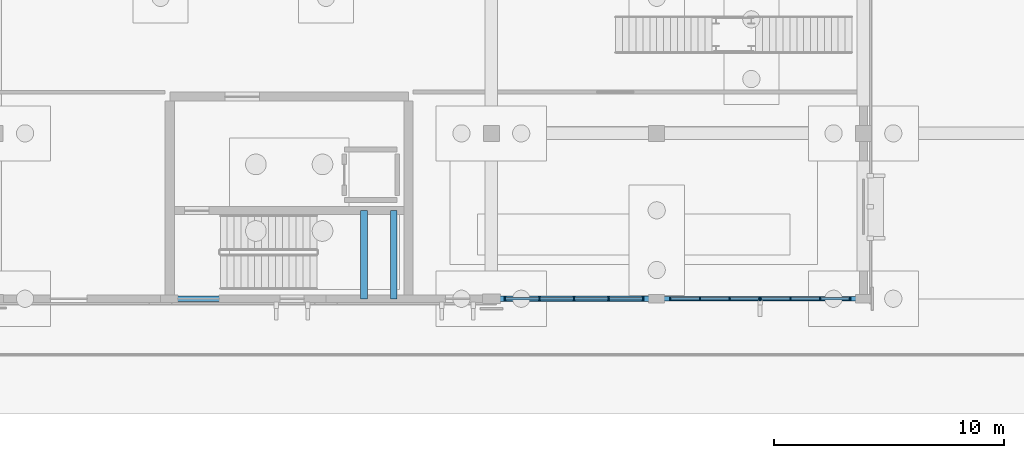
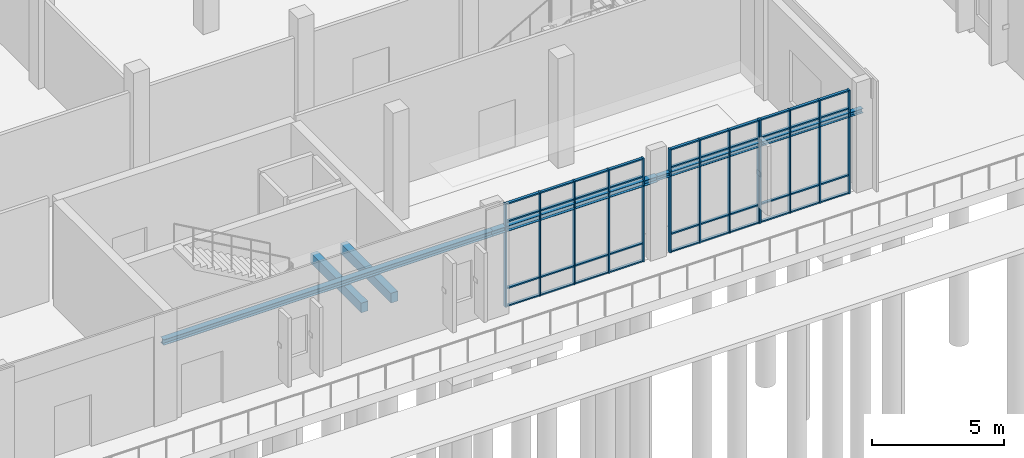
# One storey, part 32 of 94: 53 members, 5 beams, 3 elements without a shape of their own.
"""IFC4 building model written with IfcOpenShell, lengths in metres."""

from ifc_helpers import new_model, si_unit, direction, frame, origin, origin_2d, place, context, subcontext, project, spatial, rectangle, i_section, extrude, material, material_profile, profile_set, type_object, element, aggregate, save


model = new_model("IFC4")

# Units and contexts
model_context = context("Model", 3, precision=1e-05, world=origin(), true_north=direction((0.0, 1.0)))
body_context = subcontext(model_context, "Body", "Model", "MODEL_VIEW")
ifc_project = project(units=[si_unit("LENGTHUNIT", "METRE"), si_unit("AREAUNIT", "SQUARE_METRE"), si_unit("VOLUMEUNIT", "CUBIC_METRE"), si_unit("PLANEANGLEUNIT", "RADIAN"), si_unit("MASSUNIT", "GRAM", prefix="KILO")], contexts=[model_context])

# Site, building, storey
site_placement = place(None, origin())
site = spatial("IfcSite", under=ifc_project, at=site_placement, CompositionType="ELEMENT")
building_placement = place(site_placement, origin())
building = spatial("IfcBuilding", under=site, at=building_placement, Name="Vervanel Yard Central Library", CompositionType="ELEMENT")
storey_placement = place(building_placement, origin())
storey = spatial("IfcBuildingStorey", under=building, at=storey_placement, Name="L00", CompositionType="ELEMENT", Elevation=0.0)

# Curtain wall, members
ifc_material_1 = material(Name="Thermally broken anodized aluminium 6063-T6", Category="aluminium")
curtain_wall_type = type_object("IfcCurtainWallType", Name="Boulevard Cafe & Bridge Curtain Wall", PredefinedType="NOTDEFINED", material=ifc_material_1)
curtain_wall_1_placement = place(storey_placement, origin())
curtain_wall_1 = element("IfcCurtainWall", 1, at=curtain_wall_1_placement, inside=storey, type_object=curtain_wall_type, Name="L00 Boulevard Cafe & Bridge Curtain Wall CWR-L00-192", PredefinedType="NOTDEFINED")
ifc_material_profile_1 = material_profile(ifc_material_1, rectangle(XDim=0.06005859375, YDim=0.159912109375, at=origin_2d()), Name="ALU 60x160", Category="aluminium")
ifc_profile_set_1 = profile_set([ifc_material_profile_1], Name="Thermally broken anodized aluminium 6063-T6")
member_type_1 = type_object("IfcMemberType", Name="Bridge & Courtyard Mullion 60x160", PredefinedType="MULLION", material=ifc_profile_set_1)
member_1_placement = place(storey_placement, frame((29.389892578125, 0.0, 0.0), z_axis=(0.0, 0.0, 1.0), x_axis=(1.0, 0.0, 0.0)))
member_1 = element("IfcMember", 2, at=member_1_placement, type_object=member_type_1, Name="CWR-L00-192 Mullion 1", PredefinedType="MULLION", context=body_context, shape_type="SweptSolid", body=[
    extrude(rectangle(XDim=0.06005859375, YDim=0.159912109375, at=origin_2d()), origin(), (0.0, 0.0, 1.0), 4.780029296875),
])
member_2_placement = place(storey_placement, frame((30.89501953125, 0.0, 0.0), z_axis=(0.0, 0.0, 1.0), x_axis=(1.0, 0.0, 0.0)))
member_2 = element("IfcMember", 3, at=member_2_placement, type_object=member_type_1, Name="CWR-L00-192 Mullion 2", PredefinedType="MULLION", context=body_context, shape_type="SweptSolid", body=[
    extrude(rectangle(XDim=0.06005859375, YDim=0.159912109375, at=origin_2d()), origin(), (0.0, 0.0, 1.0), 4.780029296875),
])
member_3_placement = place(storey_placement, frame((32.39990234375, 0.0, 0.0), z_axis=(0.0, 0.0, 1.0), x_axis=(1.0, 0.0, 0.0)))
member_3 = element("IfcMember", 4, at=member_3_placement, type_object=member_type_1, Name="CWR-L00-192 Mullion 3", PredefinedType="MULLION", context=body_context, shape_type="SweptSolid", body=[
    extrude(rectangle(XDim=0.06005859375, YDim=0.159912109375, at=origin_2d()), origin(), (0.0, 0.0, 1.0), 4.780029296875),
])
member_4_placement = place(storey_placement, frame((33.905029296875, 0.0, 0.0), z_axis=(0.0, 0.0, 1.0), x_axis=(1.0, 0.0, 0.0)))
member_4 = element("IfcMember", 5, at=member_4_placement, type_object=member_type_1, Name="CWR-L00-192 Mullion 4", PredefinedType="MULLION", context=body_context, shape_type="SweptSolid", body=[
    extrude(rectangle(XDim=0.06005859375, YDim=0.159912109375, at=origin_2d()), origin(), (0.0, 0.0, 1.0), 4.780029296875),
])
member_5_placement = place(storey_placement, frame((35.409912109375, 0.0, 0.0), z_axis=(0.0, 0.0, 1.0), x_axis=(1.0, 0.0, 0.0)))
member_5 = element("IfcMember", 6, at=member_5_placement, type_object=member_type_1, Name="CWR-L00-192 Mullion 5", PredefinedType="MULLION", context=body_context, shape_type="SweptSolid", body=[
    extrude(rectangle(XDim=0.06005859375, YDim=0.159912109375, at=origin_2d()), origin(), (0.0, 0.0, 1.0), 4.780029296875),
])

curtain_wall_2_placement = place(storey_placement, origin())
curtain_wall_2 = element("IfcCurtainWall", 7, at=curtain_wall_2_placement, inside=storey, type_object=curtain_wall_type, Name="L00 Boulevard Cafe & Bridge Curtain Wall CWR-L00-193", PredefinedType="NOTDEFINED")
member_6_placement = place(storey_placement, frame((36.590087890625, 0.0, 0.0), z_axis=(0.0, 0.0, 1.0), x_axis=(1.0, 0.0, 0.0)))
member_6 = element("IfcMember", 8, at=member_6_placement, type_object=member_type_1, Name="CWR-L00-193 Mullion 1", PredefinedType="MULLION", context=body_context, shape_type="SweptSolid", body=[
    extrude(rectangle(XDim=0.06005859375, YDim=0.159912109375, at=origin_2d()), origin(), (0.0, 0.0, 1.0), 4.780029296875),
])
member_7_placement = place(storey_placement, frame((37.88330078125, 0.0, 0.0), z_axis=(0.0, 0.0, 1.0), x_axis=(1.0, 0.0, 0.0)))
member_7 = element("IfcMember", 9, at=member_7_placement, type_object=member_type_1, Name="CWR-L00-193 Mullion 2", PredefinedType="MULLION", context=body_context, shape_type="SweptSolid", body=[
    extrude(rectangle(XDim=0.06005859375, YDim=0.159912109375, at=origin_2d()), origin(), (0.0, 0.0, 1.0), 4.780029296875),
])
member_8_placement = place(storey_placement, frame((39.1767578125, 0.0, 0.0), z_axis=(0.0, 0.0, 1.0), x_axis=(1.0, 0.0, 0.0)))
member_8 = element("IfcMember", 10, at=member_8_placement, type_object=member_type_1, Name="CWR-L00-193 Mullion 3", PredefinedType="MULLION", context=body_context, shape_type="SweptSolid", body=[
    extrude(rectangle(XDim=0.06005859375, YDim=0.159912109375, at=origin_2d()), origin(), (0.0, 0.0, 1.0), 4.780029296875),
])
member_9_placement = place(storey_placement, frame((40.469970703125, 0.0, 0.0), z_axis=(0.0, 0.0, 1.0), x_axis=(1.0, 0.0, 0.0)))
member_9 = element("IfcMember", 11, at=member_9_placement, type_object=member_type_1, Name="CWR-L00-193 Mullion 4", PredefinedType="MULLION", context=body_context, shape_type="SweptSolid", body=[
    extrude(rectangle(XDim=0.06005859375, YDim=0.159912109375, at=origin_2d()), origin(), (0.0, 0.0, 1.0), 4.780029296875),
])

curtain_wall_3_placement = place(storey_placement, origin())
curtain_wall_3 = element("IfcCurtainWall", 12, at=curtain_wall_3_placement, inside=storey, type_object=curtain_wall_type, Name="L00 Boulevard Cafe & Bridge Curtain Wall CWR-L00-194", PredefinedType="NOTDEFINED")
member_10_placement = place(storey_placement, frame((40.530029296875, 0.0, 0.0), z_axis=(0.0, 0.0, 1.0), x_axis=(1.0, 0.0, 0.0)))
member_10 = element("IfcMember", 13, at=member_10_placement, type_object=member_type_1, Name="CWR-L00-194 Mullion 1", PredefinedType="MULLION", context=body_context, shape_type="SweptSolid", body=[
    extrude(rectangle(XDim=0.06005859375, YDim=0.159912109375, at=origin_2d()), origin(), (0.0, 0.0, 1.0), 4.780029296875),
])
member_11_placement = place(storey_placement, frame((41.8232421875, 0.0, 0.0), z_axis=(0.0, 0.0, 1.0), x_axis=(1.0, 0.0, 0.0)))
member_11 = element("IfcMember", 14, at=member_11_placement, type_object=member_type_1, Name="CWR-L00-194 Mullion 2", PredefinedType="MULLION", context=body_context, shape_type="SweptSolid", body=[
    extrude(rectangle(XDim=0.06005859375, YDim=0.159912109375, at=origin_2d()), origin(), (0.0, 0.0, 1.0), 4.780029296875),
])
member_12_placement = place(storey_placement, frame((43.11669921875, 0.0, 0.0), z_axis=(0.0, 0.0, 1.0), x_axis=(1.0, 0.0, 0.0)))
member_12 = element("IfcMember", 15, at=member_12_placement, type_object=member_type_1, Name="CWR-L00-194 Mullion 3", PredefinedType="MULLION", context=body_context, shape_type="SweptSolid", body=[
    extrude(rectangle(XDim=0.06005859375, YDim=0.159912109375, at=origin_2d()), origin(), (0.0, 0.0, 1.0), 4.780029296875),
])
member_13_placement = place(storey_placement, frame((44.409912109375, 0.0, 0.0), z_axis=(0.0, 0.0, 1.0), x_axis=(1.0, 0.0, 0.0)))
member_13 = element("IfcMember", 16, at=member_13_placement, type_object=member_type_1, Name="CWR-L00-194 Mullion 4", PredefinedType="MULLION", context=body_context, shape_type="SweptSolid", body=[
    extrude(rectangle(XDim=0.06005859375, YDim=0.159912109375, at=origin_2d()), origin(), (0.0, 0.0, 1.0), 4.780029296875),
])

# Member
ifc_material_profile_2 = material_profile(ifc_material_1, rectangle(XDim=0.06005859375, YDim=0.1201171875, at=origin_2d()), Name="ALU 60x120", Category="aluminium")
ifc_profile_set_2 = profile_set([ifc_material_profile_2], Name="Thermally broken anodized aluminium 6063-T6")
member_type_2 = type_object("IfcMemberType", Name="Bridge & Courtyard Transom 60x120", PredefinedType="NOTDEFINED", material=ifc_profile_set_2)
member_14_placement = place(storey_placement, frame((29.419921875, 0.0, 0.030029296875), z_axis=(1.0, 0.0, 0.0), x_axis=(0.0, 0.0, 1.0)))
member_14 = element("IfcMember", 17, at=member_14_placement, type_object=member_type_2, Name="CWR-L00-192 Transom B1-T1", ObjectType="TRANSOM", PredefinedType="USERDEFINED", context=body_context, shape_type="SweptSolid", body=[
    extrude(rectangle(XDim=0.06005859375, YDim=0.1201171875, at=origin_2d()), origin(), (0.0, 0.0, 1.0), 1.445068359375),
])

member_15_placement = place(storey_placement, frame((29.419921875, 0.0, 0.85009765625), z_axis=(1.0, 0.0, 0.0), x_axis=(0.0, 0.0, 1.0)))
member_15 = element("IfcMember", 18, at=member_15_placement, type_object=member_type_2, Name="CWR-L00-192 Transom B1-T2", ObjectType="TRANSOM", PredefinedType="USERDEFINED", context=body_context, shape_type="SweptSolid", body=[
    extrude(rectangle(XDim=0.06005859375, YDim=0.1201171875, at=origin_2d()), origin(), (0.0, 0.0, 1.0), 1.445068359375),
])

member_16_placement = place(storey_placement, frame((29.419921875, 0.0, 3.929931640625), z_axis=(1.0, 0.0, 0.0), x_axis=(0.0, 0.0, 1.0)))
member_16 = element("IfcMember", 19, at=member_16_placement, type_object=member_type_2, Name="CWR-L00-192 Transom B1-T3", ObjectType="TRANSOM", PredefinedType="USERDEFINED", context=body_context, shape_type="SweptSolid", body=[
    extrude(rectangle(XDim=0.06005859375, YDim=0.1201171875, at=origin_2d()), origin(), (0.0, 0.0, 1.0), 1.445068359375),
])

member_17_placement = place(storey_placement, frame((29.419921875, 0.0, 4.75), z_axis=(1.0, 0.0, 0.0), x_axis=(0.0, 0.0, 1.0)))
member_17 = element("IfcMember", 20, at=member_17_placement, type_object=member_type_2, Name="CWR-L00-192 Transom B1-T4", ObjectType="TRANSOM", PredefinedType="USERDEFINED", context=body_context, shape_type="SweptSolid", body=[
    extrude(rectangle(XDim=0.06005859375, YDim=0.1201171875, at=origin_2d()), origin(), (0.0, 0.0, 1.0), 1.445068359375),
])

member_18_placement = place(storey_placement, frame((30.925048828125, 0.0, 0.030029296875), z_axis=(1.0, 0.0, 0.0), x_axis=(0.0, 0.0, 1.0)))
member_18 = element("IfcMember", 21, at=member_18_placement, type_object=member_type_2, Name="CWR-L00-192 Transom B2-T1", ObjectType="TRANSOM", PredefinedType="USERDEFINED", context=body_context, shape_type="SweptSolid", body=[
    extrude(rectangle(XDim=0.06005859375, YDim=0.1201171875, at=origin_2d()), origin(), (0.0, 0.0, 1.0), 1.445068359375),
])

member_19_placement = place(storey_placement, frame((30.925048828125, 0.0, 0.85009765625), z_axis=(1.0, 0.0, 0.0), x_axis=(0.0, 0.0, 1.0)))
member_19 = element("IfcMember", 22, at=member_19_placement, type_object=member_type_2, Name="CWR-L00-192 Transom B2-T2", ObjectType="TRANSOM", PredefinedType="USERDEFINED", context=body_context, shape_type="SweptSolid", body=[
    extrude(rectangle(XDim=0.06005859375, YDim=0.1201171875, at=origin_2d()), origin(), (0.0, 0.0, 1.0), 1.445068359375),
])

member_20_placement = place(storey_placement, frame((30.925048828125, 0.0, 3.929931640625), z_axis=(1.0, 0.0, 0.0), x_axis=(0.0, 0.0, 1.0)))
member_20 = element("IfcMember", 23, at=member_20_placement, type_object=member_type_2, Name="CWR-L00-192 Transom B2-T3", ObjectType="TRANSOM", PredefinedType="USERDEFINED", context=body_context, shape_type="SweptSolid", body=[
    extrude(rectangle(XDim=0.06005859375, YDim=0.1201171875, at=origin_2d()), origin(), (0.0, 0.0, 1.0), 1.445068359375),
])

member_21_placement = place(storey_placement, frame((30.925048828125, 0.0, 4.75), z_axis=(1.0, 0.0, 0.0), x_axis=(0.0, 0.0, 1.0)))
member_21 = element("IfcMember", 24, at=member_21_placement, type_object=member_type_2, Name="CWR-L00-192 Transom B2-T4", ObjectType="TRANSOM", PredefinedType="USERDEFINED", context=body_context, shape_type="SweptSolid", body=[
    extrude(rectangle(XDim=0.06005859375, YDim=0.1201171875, at=origin_2d()), origin(), (0.0, 0.0, 1.0), 1.445068359375),
])

member_22_placement = place(storey_placement, frame((32.429931640625, 0.0, 0.030029296875), z_axis=(1.0, 0.0, 0.0), x_axis=(0.0, 0.0, 1.0)))
member_22 = element("IfcMember", 25, at=member_22_placement, type_object=member_type_2, Name="CWR-L00-192 Transom B3-T1", ObjectType="TRANSOM", PredefinedType="USERDEFINED", context=body_context, shape_type="SweptSolid", body=[
    extrude(rectangle(XDim=0.06005859375, YDim=0.1201171875, at=origin_2d()), origin(), (0.0, 0.0, 1.0), 1.445068359375),
])

member_23_placement = place(storey_placement, frame((32.429931640625, 0.0, 0.85009765625), z_axis=(1.0, 0.0, 0.0), x_axis=(0.0, 0.0, 1.0)))
member_23 = element("IfcMember", 26, at=member_23_placement, type_object=member_type_2, Name="CWR-L00-192 Transom B3-T2", ObjectType="TRANSOM", PredefinedType="USERDEFINED", context=body_context, shape_type="SweptSolid", body=[
    extrude(rectangle(XDim=0.06005859375, YDim=0.1201171875, at=origin_2d()), origin(), (0.0, 0.0, 1.0), 1.445068359375),
])

member_24_placement = place(storey_placement, frame((32.429931640625, 0.0, 3.929931640625), z_axis=(1.0, 0.0, 0.0), x_axis=(0.0, 0.0, 1.0)))
member_24 = element("IfcMember", 27, at=member_24_placement, type_object=member_type_2, Name="CWR-L00-192 Transom B3-T3", ObjectType="TRANSOM", PredefinedType="USERDEFINED", context=body_context, shape_type="SweptSolid", body=[
    extrude(rectangle(XDim=0.06005859375, YDim=0.1201171875, at=origin_2d()), origin(), (0.0, 0.0, 1.0), 1.445068359375),
])

member_25_placement = place(storey_placement, frame((32.429931640625, 0.0, 4.75), z_axis=(1.0, 0.0, 0.0), x_axis=(0.0, 0.0, 1.0)))
member_25 = element("IfcMember", 28, at=member_25_placement, type_object=member_type_2, Name="CWR-L00-192 Transom B3-T4", ObjectType="TRANSOM", PredefinedType="USERDEFINED", context=body_context, shape_type="SweptSolid", body=[
    extrude(rectangle(XDim=0.06005859375, YDim=0.1201171875, at=origin_2d()), origin(), (0.0, 0.0, 1.0), 1.445068359375),
])

member_26_placement = place(storey_placement, frame((33.93505859375, 0.0, 0.030029296875), z_axis=(1.0, 0.0, 0.0), x_axis=(0.0, 0.0, 1.0)))
member_26 = element("IfcMember", 29, at=member_26_placement, type_object=member_type_2, Name="CWR-L00-192 Transom B4-T1", ObjectType="TRANSOM", PredefinedType="USERDEFINED", context=body_context, shape_type="SweptSolid", body=[
    extrude(rectangle(XDim=0.06005859375, YDim=0.1201171875, at=origin_2d()), origin(), (0.0, 0.0, 1.0), 1.44482421875),
])

member_27_placement = place(storey_placement, frame((33.93505859375, 0.0, 0.85009765625), z_axis=(1.0, 0.0, 0.0), x_axis=(0.0, 0.0, 1.0)))
member_27 = element("IfcMember", 30, at=member_27_placement, type_object=member_type_2, Name="CWR-L00-192 Transom B4-T2", ObjectType="TRANSOM", PredefinedType="USERDEFINED", context=body_context, shape_type="SweptSolid", body=[
    extrude(rectangle(XDim=0.06005859375, YDim=0.1201171875, at=origin_2d()), origin(), (0.0, 0.0, 1.0), 1.44482421875),
])

member_28_placement = place(storey_placement, frame((33.93505859375, 0.0, 3.929931640625), z_axis=(1.0, 0.0, 0.0), x_axis=(0.0, 0.0, 1.0)))
member_28 = element("IfcMember", 31, at=member_28_placement, type_object=member_type_2, Name="CWR-L00-192 Transom B4-T3", ObjectType="TRANSOM", PredefinedType="USERDEFINED", context=body_context, shape_type="SweptSolid", body=[
    extrude(rectangle(XDim=0.06005859375, YDim=0.1201171875, at=origin_2d()), origin(), (0.0, 0.0, 1.0), 1.44482421875),
])

member_29_placement = place(storey_placement, frame((33.93505859375, 0.0, 4.75), z_axis=(1.0, 0.0, 0.0), x_axis=(0.0, 0.0, 1.0)))
member_29 = element("IfcMember", 32, at=member_29_placement, type_object=member_type_2, Name="CWR-L00-192 Transom B4-T4", ObjectType="TRANSOM", PredefinedType="USERDEFINED", context=body_context, shape_type="SweptSolid", body=[
    extrude(rectangle(XDim=0.06005859375, YDim=0.1201171875, at=origin_2d()), origin(), (0.0, 0.0, 1.0), 1.44482421875),
])

aggregate(curtain_wall_1, [member_1, member_2, member_3, member_4, member_5, member_14, member_15, member_16, member_17, member_18, member_19, member_20, member_21, member_22, member_23, member_24, member_25, member_26, member_27, member_28, member_29])

member_30_placement = place(storey_placement, frame((36.6201171875, 0.0, 0.030029296875), z_axis=(1.0, 0.0, 0.0), x_axis=(0.0, 0.0, 1.0)))
member_30 = element("IfcMember", 33, at=member_30_placement, type_object=member_type_2, Name="CWR-L00-193 Transom B1-T1", ObjectType="TRANSOM", PredefinedType="USERDEFINED", context=body_context, shape_type="SweptSolid", body=[
    extrude(rectangle(XDim=0.06005859375, YDim=0.1201171875, at=origin_2d()), origin(), (0.0, 0.0, 1.0), 1.233154296875),
])

member_31_placement = place(storey_placement, frame((36.6201171875, 0.0, 0.85009765625), z_axis=(1.0, 0.0, 0.0), x_axis=(0.0, 0.0, 1.0)))
member_31 = element("IfcMember", 34, at=member_31_placement, type_object=member_type_2, Name="CWR-L00-193 Transom B1-T2", ObjectType="TRANSOM", PredefinedType="USERDEFINED", context=body_context, shape_type="SweptSolid", body=[
    extrude(rectangle(XDim=0.06005859375, YDim=0.1201171875, at=origin_2d()), origin(), (0.0, 0.0, 1.0), 1.233154296875),
])

member_32_placement = place(storey_placement, frame((36.6201171875, 0.0, 3.929931640625), z_axis=(1.0, 0.0, 0.0), x_axis=(0.0, 0.0, 1.0)))
member_32 = element("IfcMember", 35, at=member_32_placement, type_object=member_type_2, Name="CWR-L00-193 Transom B1-T3", ObjectType="TRANSOM", PredefinedType="USERDEFINED", context=body_context, shape_type="SweptSolid", body=[
    extrude(rectangle(XDim=0.06005859375, YDim=0.1201171875, at=origin_2d()), origin(), (0.0, 0.0, 1.0), 1.233154296875),
])

member_33_placement = place(storey_placement, frame((36.6201171875, 0.0, 4.75), z_axis=(1.0, 0.0, 0.0), x_axis=(0.0, 0.0, 1.0)))
member_33 = element("IfcMember", 36, at=member_33_placement, type_object=member_type_2, Name="CWR-L00-193 Transom B1-T4", ObjectType="TRANSOM", PredefinedType="USERDEFINED", context=body_context, shape_type="SweptSolid", body=[
    extrude(rectangle(XDim=0.06005859375, YDim=0.1201171875, at=origin_2d()), origin(), (0.0, 0.0, 1.0), 1.233154296875),
])

member_34_placement = place(storey_placement, frame((37.913330078125, 0.0, 0.030029296875), z_axis=(1.0, 0.0, 0.0), x_axis=(0.0, 0.0, 1.0)))
member_34 = element("IfcMember", 37, at=member_34_placement, type_object=member_type_2, Name="CWR-L00-193 Transom B2-T1", ObjectType="TRANSOM", PredefinedType="USERDEFINED", context=body_context, shape_type="SweptSolid", body=[
    extrude(rectangle(XDim=0.06005859375, YDim=0.1201171875, at=origin_2d()), origin(), (0.0, 0.0, 1.0), 1.2333984375),
])

member_35_placement = place(storey_placement, frame((37.913330078125, 0.0, 0.85009765625), z_axis=(1.0, 0.0, 0.0), x_axis=(0.0, 0.0, 1.0)))
member_35 = element("IfcMember", 38, at=member_35_placement, type_object=member_type_2, Name="CWR-L00-193 Transom B2-T2", ObjectType="TRANSOM", PredefinedType="USERDEFINED", context=body_context, shape_type="SweptSolid", body=[
    extrude(rectangle(XDim=0.06005859375, YDim=0.1201171875, at=origin_2d()), origin(), (0.0, 0.0, 1.0), 1.2333984375),
])

member_36_placement = place(storey_placement, frame((37.913330078125, 0.0, 3.929931640625), z_axis=(1.0, 0.0, 0.0), x_axis=(0.0, 0.0, 1.0)))
member_36 = element("IfcMember", 39, at=member_36_placement, type_object=member_type_2, Name="CWR-L00-193 Transom B2-T3", ObjectType="TRANSOM", PredefinedType="USERDEFINED", context=body_context, shape_type="SweptSolid", body=[
    extrude(rectangle(XDim=0.06005859375, YDim=0.1201171875, at=origin_2d()), origin(), (0.0, 0.0, 1.0), 1.2333984375),
])

member_37_placement = place(storey_placement, frame((37.913330078125, 0.0, 4.75), z_axis=(1.0, 0.0, 0.0), x_axis=(0.0, 0.0, 1.0)))
member_37 = element("IfcMember", 40, at=member_37_placement, type_object=member_type_2, Name="CWR-L00-193 Transom B2-T4", ObjectType="TRANSOM", PredefinedType="USERDEFINED", context=body_context, shape_type="SweptSolid", body=[
    extrude(rectangle(XDim=0.06005859375, YDim=0.1201171875, at=origin_2d()), origin(), (0.0, 0.0, 1.0), 1.2333984375),
])

member_38_placement = place(storey_placement, frame((39.206787109375, 0.0, 0.030029296875), z_axis=(1.0, 0.0, 0.0), x_axis=(0.0, 0.0, 1.0)))
member_38 = element("IfcMember", 41, at=member_38_placement, type_object=member_type_2, Name="CWR-L00-193 Transom B3-T1", ObjectType="TRANSOM", PredefinedType="USERDEFINED", context=body_context, shape_type="SweptSolid", body=[
    extrude(rectangle(XDim=0.06005859375, YDim=0.1201171875, at=origin_2d()), origin(), (0.0, 0.0, 1.0), 1.233154296875),
])

member_39_placement = place(storey_placement, frame((39.206787109375, 0.0, 0.85009765625), z_axis=(1.0, 0.0, 0.0), x_axis=(0.0, 0.0, 1.0)))
member_39 = element("IfcMember", 42, at=member_39_placement, type_object=member_type_2, Name="CWR-L00-193 Transom B3-T2", ObjectType="TRANSOM", PredefinedType="USERDEFINED", context=body_context, shape_type="SweptSolid", body=[
    extrude(rectangle(XDim=0.06005859375, YDim=0.1201171875, at=origin_2d()), origin(), (0.0, 0.0, 1.0), 1.233154296875),
])

member_40_placement = place(storey_placement, frame((39.206787109375, 0.0, 3.929931640625), z_axis=(1.0, 0.0, 0.0), x_axis=(0.0, 0.0, 1.0)))
member_40 = element("IfcMember", 43, at=member_40_placement, type_object=member_type_2, Name="CWR-L00-193 Transom B3-T3", ObjectType="TRANSOM", PredefinedType="USERDEFINED", context=body_context, shape_type="SweptSolid", body=[
    extrude(rectangle(XDim=0.06005859375, YDim=0.1201171875, at=origin_2d()), origin(), (0.0, 0.0, 1.0), 1.233154296875),
])

member_41_placement = place(storey_placement, frame((39.206787109375, 0.0, 4.75), z_axis=(1.0, 0.0, 0.0), x_axis=(0.0, 0.0, 1.0)))
member_41 = element("IfcMember", 44, at=member_41_placement, type_object=member_type_2, Name="CWR-L00-193 Transom B3-T4", ObjectType="TRANSOM", PredefinedType="USERDEFINED", context=body_context, shape_type="SweptSolid", body=[
    extrude(rectangle(XDim=0.06005859375, YDim=0.1201171875, at=origin_2d()), origin(), (0.0, 0.0, 1.0), 1.233154296875),
])

aggregate(curtain_wall_2, [member_6, member_7, member_8, member_9, member_30, member_31, member_32, member_33, member_34, member_35, member_36, member_37, member_38, member_39, member_40, member_41])

member_42_placement = place(storey_placement, frame((40.56005859375, 0.0, 0.030029296875), z_axis=(1.0, 0.0, 0.0), x_axis=(0.0, 0.0, 1.0)))
member_42 = element("IfcMember", 45, at=member_42_placement, type_object=member_type_2, Name="CWR-L00-194 Transom B1-T1", ObjectType="TRANSOM", PredefinedType="USERDEFINED", context=body_context, shape_type="SweptSolid", body=[
    extrude(rectangle(XDim=0.06005859375, YDim=0.1201171875, at=origin_2d()), origin(), (0.0, 0.0, 1.0), 1.233154296875),
])

member_43_placement = place(storey_placement, frame((40.56005859375, 0.0, 0.85009765625), z_axis=(1.0, 0.0, 0.0), x_axis=(0.0, 0.0, 1.0)))
member_43 = element("IfcMember", 46, at=member_43_placement, type_object=member_type_2, Name="CWR-L00-194 Transom B1-T2", ObjectType="TRANSOM", PredefinedType="USERDEFINED", context=body_context, shape_type="SweptSolid", body=[
    extrude(rectangle(XDim=0.06005859375, YDim=0.1201171875, at=origin_2d()), origin(), (0.0, 0.0, 1.0), 1.233154296875),
])

member_44_placement = place(storey_placement, frame((40.56005859375, 0.0, 3.929931640625), z_axis=(1.0, 0.0, 0.0), x_axis=(0.0, 0.0, 1.0)))
member_44 = element("IfcMember", 47, at=member_44_placement, type_object=member_type_2, Name="CWR-L00-194 Transom B1-T3", ObjectType="TRANSOM", PredefinedType="USERDEFINED", context=body_context, shape_type="SweptSolid", body=[
    extrude(rectangle(XDim=0.06005859375, YDim=0.1201171875, at=origin_2d()), origin(), (0.0, 0.0, 1.0), 1.233154296875),
])

member_45_placement = place(storey_placement, frame((40.56005859375, 0.0, 4.75), z_axis=(1.0, 0.0, 0.0), x_axis=(0.0, 0.0, 1.0)))
member_45 = element("IfcMember", 48, at=member_45_placement, type_object=member_type_2, Name="CWR-L00-194 Transom B1-T4", ObjectType="TRANSOM", PredefinedType="USERDEFINED", context=body_context, shape_type="SweptSolid", body=[
    extrude(rectangle(XDim=0.06005859375, YDim=0.1201171875, at=origin_2d()), origin(), (0.0, 0.0, 1.0), 1.233154296875),
])

member_46_placement = place(storey_placement, frame((41.853271484375, 0.0, 0.030029296875), z_axis=(1.0, 0.0, 0.0), x_axis=(0.0, 0.0, 1.0)))
member_46 = element("IfcMember", 49, at=member_46_placement, type_object=member_type_2, Name="CWR-L00-194 Transom B2-T1", ObjectType="TRANSOM", PredefinedType="USERDEFINED", context=body_context, shape_type="SweptSolid", body=[
    extrude(rectangle(XDim=0.06005859375, YDim=0.1201171875, at=origin_2d()), origin(), (0.0, 0.0, 1.0), 1.2333984375),
])

member_47_placement = place(storey_placement, frame((41.853271484375, 0.0, 0.85009765625), z_axis=(1.0, 0.0, 0.0), x_axis=(0.0, 0.0, 1.0)))
member_47 = element("IfcMember", 50, at=member_47_placement, type_object=member_type_2, Name="CWR-L00-194 Transom B2-T2", ObjectType="TRANSOM", PredefinedType="USERDEFINED", context=body_context, shape_type="SweptSolid", body=[
    extrude(rectangle(XDim=0.06005859375, YDim=0.1201171875, at=origin_2d()), origin(), (0.0, 0.0, 1.0), 1.2333984375),
])

member_48_placement = place(storey_placement, frame((41.853271484375, 0.0, 3.929931640625), z_axis=(1.0, 0.0, 0.0), x_axis=(0.0, 0.0, 1.0)))
member_48 = element("IfcMember", 51, at=member_48_placement, type_object=member_type_2, Name="CWR-L00-194 Transom B2-T3", ObjectType="TRANSOM", PredefinedType="USERDEFINED", context=body_context, shape_type="SweptSolid", body=[
    extrude(rectangle(XDim=0.06005859375, YDim=0.1201171875, at=origin_2d()), origin(), (0.0, 0.0, 1.0), 1.2333984375),
])

member_49_placement = place(storey_placement, frame((41.853271484375, 0.0, 4.75), z_axis=(1.0, 0.0, 0.0), x_axis=(0.0, 0.0, 1.0)))
member_49 = element("IfcMember", 52, at=member_49_placement, type_object=member_type_2, Name="CWR-L00-194 Transom B2-T4", ObjectType="TRANSOM", PredefinedType="USERDEFINED", context=body_context, shape_type="SweptSolid", body=[
    extrude(rectangle(XDim=0.06005859375, YDim=0.1201171875, at=origin_2d()), origin(), (0.0, 0.0, 1.0), 1.2333984375),
])

member_50_placement = place(storey_placement, frame((43.146728515625, 0.0, 0.030029296875), z_axis=(1.0, 0.0, 0.0), x_axis=(0.0, 0.0, 1.0)))
member_50 = element("IfcMember", 53, at=member_50_placement, type_object=member_type_2, Name="CWR-L00-194 Transom B3-T1", ObjectType="TRANSOM", PredefinedType="USERDEFINED", context=body_context, shape_type="SweptSolid", body=[
    extrude(rectangle(XDim=0.06005859375, YDim=0.1201171875, at=origin_2d()), origin(), (0.0, 0.0, 1.0), 1.233154296875),
])

member_51_placement = place(storey_placement, frame((43.146728515625, 0.0, 0.85009765625), z_axis=(1.0, 0.0, 0.0), x_axis=(0.0, 0.0, 1.0)))
member_51 = element("IfcMember", 54, at=member_51_placement, type_object=member_type_2, Name="CWR-L00-194 Transom B3-T2", ObjectType="TRANSOM", PredefinedType="USERDEFINED", context=body_context, shape_type="SweptSolid", body=[
    extrude(rectangle(XDim=0.06005859375, YDim=0.1201171875, at=origin_2d()), origin(), (0.0, 0.0, 1.0), 1.233154296875),
])

member_52_placement = place(storey_placement, frame((43.146728515625, 0.0, 3.929931640625), z_axis=(1.0, 0.0, 0.0), x_axis=(0.0, 0.0, 1.0)))
member_52 = element("IfcMember", 55, at=member_52_placement, type_object=member_type_2, Name="CWR-L00-194 Transom B3-T3", ObjectType="TRANSOM", PredefinedType="USERDEFINED", context=body_context, shape_type="SweptSolid", body=[
    extrude(rectangle(XDim=0.06005859375, YDim=0.1201171875, at=origin_2d()), origin(), (0.0, 0.0, 1.0), 1.233154296875),
])

member_53_placement = place(storey_placement, frame((43.146728515625, 0.0, 4.75), z_axis=(1.0, 0.0, 0.0), x_axis=(0.0, 0.0, 1.0)))
member_53 = element("IfcMember", 56, at=member_53_placement, type_object=member_type_2, Name="CWR-L00-194 Transom B3-T4", ObjectType="TRANSOM", PredefinedType="USERDEFINED", context=body_context, shape_type="SweptSolid", body=[
    extrude(rectangle(XDim=0.06005859375, YDim=0.1201171875, at=origin_2d()), origin(), (0.0, 0.0, 1.0), 1.233154296875),
])

aggregate(curtain_wall_3, [member_10, member_11, member_12, member_13, member_42, member_43, member_44, member_45, member_46, member_47, member_48, member_49, member_50, member_51, member_52, member_53])

# Beams
ifc_material_2 = material(Name="Concrete C40/50", Category="concrete")
ifc_material_profile_3 = material_profile(ifc_material_2, rectangle(XDim=0.300048828125, YDim=0.449951171875, at=origin_2d()), Name="RC 300x450", Category="concrete")
ifc_profile_set_3 = profile_set([ifc_material_profile_3], Name="Concrete C40/50")
beam_type_1 = type_object("IfcBeamType", Name="Concrete Opening Lintel 300x450", PredefinedType="LINTEL", material=ifc_profile_set_3)
for number, where, z_axis, x_axis, name in (
    (57, (23.25, 0.0, 2.125), (0.0, 1.0, 0.0), (-1.0, 0.0, 0.0), "L00 CORE-D Stair Landing Beam 29"),
    (58, (24.550048828125, 0.0, 2.125), (0.0, 1.0, 0.0), (-1.0, 0.0, 0.0), "L00 CORE-D Stair Landing Beam 30"),
):
    element("IfcBeam", number, at=place(storey_placement, frame(where, z_axis=z_axis, x_axis=x_axis)), inside=storey, type_object=beam_type_1, Name=name, PredefinedType="LINTEL", context=body_context, shape_type="SweptSolid", body=[
        extrude(rectangle(XDim=0.300048828125, YDim=0.449951171875, at=origin_2d()), origin(), (0.0, 0.0, 1.0), 3.8349609375),
    ])
ifc_material_3 = material(Name="Steel ASTM A992 Grade 50", Category="steel")
ifc_material_profile_4 = material_profile(ifc_material_3, i_section(OverallWidth=0.25390625, OverallDepth=0.25390625, WebThickness=0.008544921875, FlangeThickness=0.01416015625, at=origin_2d()), Name="W10X49", Category="steel")
ifc_profile_set_4 = profile_set([ifc_material_profile_4], Name="Steel ASTM A992 Grade 50")
beam_type_2 = type_object("IfcBeamType", Name="Steel Opening Lintel W10X49", PredefinedType="LINTEL", material=ifc_profile_set_4)
beam_1_placement = place(storey_placement, frame((14.39990234375, 0.0, 3.64990234375), z_axis=(1.0, 0.0, 0.0), x_axis=(0.0, 1.0, 0.0)))
element("IfcBeam", 59, at=beam_1_placement, inside=storey, type_object=beam_type_2, Name="L00 Portal Opening Lintel 13", PredefinedType="LINTEL", context=body_context, shape_type="SweptSolid", body=[
    extrude(i_section(OverallWidth=0.25390625, OverallDepth=0.25390625, WebThickness=0.008544921875, FlangeThickness=0.01416015625, at=origin_2d()), origin(), (0.0, 0.0, 1.0), 14.400146484375),
])
beam_2_placement = place(storey_placement, frame((28.800048828125, 0.0, 3.64990234375), z_axis=(1.0, 0.0, 0.0), x_axis=(0.0, 1.0, 0.0)))
element("IfcBeam", 60, at=beam_2_placement, inside=storey, type_object=beam_type_2, Name="L00 Portal Opening Lintel 14", PredefinedType="LINTEL", context=body_context, shape_type="SweptSolid", body=[
    extrude(i_section(OverallWidth=0.25390625, OverallDepth=0.25390625, WebThickness=0.008544921875, FlangeThickness=0.01416015625, at=origin_2d()), origin(), (0.0, 0.0, 1.0), 7.199951171875),
])
ifc_material_profile_5 = material_profile(ifc_material_3, i_section(OverallWidth=0.203125, OverallDepth=0.203125, WebThickness=0.00732421875, FlangeThickness=0.010986328125, at=origin_2d()), Name="W8X31", Category="steel")
ifc_profile_set_5 = profile_set([ifc_material_profile_5], Name="Steel ASTM A992 Grade 50")
beam_type_3 = type_object("IfcBeamType", Name="Steel Opening Lintel W8X31", PredefinedType="LINTEL", material=ifc_profile_set_5)
beam_3_placement = place(storey_placement, frame((36.0, 0.0, 3.64990234375), z_axis=(1.0, 0.0, 0.0), x_axis=(0.0, 1.0, 0.0)))
element("IfcBeam", 61, at=beam_3_placement, inside=storey, type_object=beam_type_3, Name="L00 Portal Opening Lintel 15", PredefinedType="LINTEL", context=body_context, shape_type="SweptSolid", body=[
    extrude(i_section(OverallWidth=0.203125, OverallDepth=0.203125, WebThickness=0.00732421875, FlangeThickness=0.010986328125, at=origin_2d()), origin(), (0.0, 0.0, 1.0), 9.0),
])

save(model, "model.ifc")
